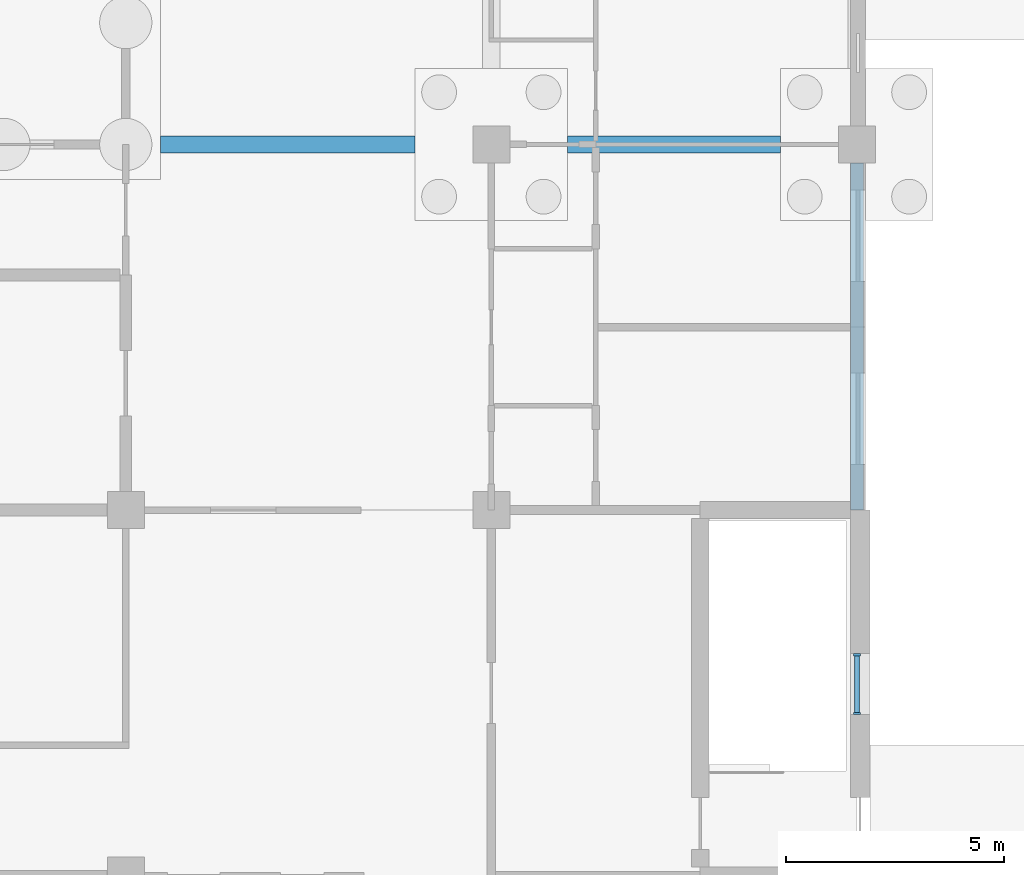
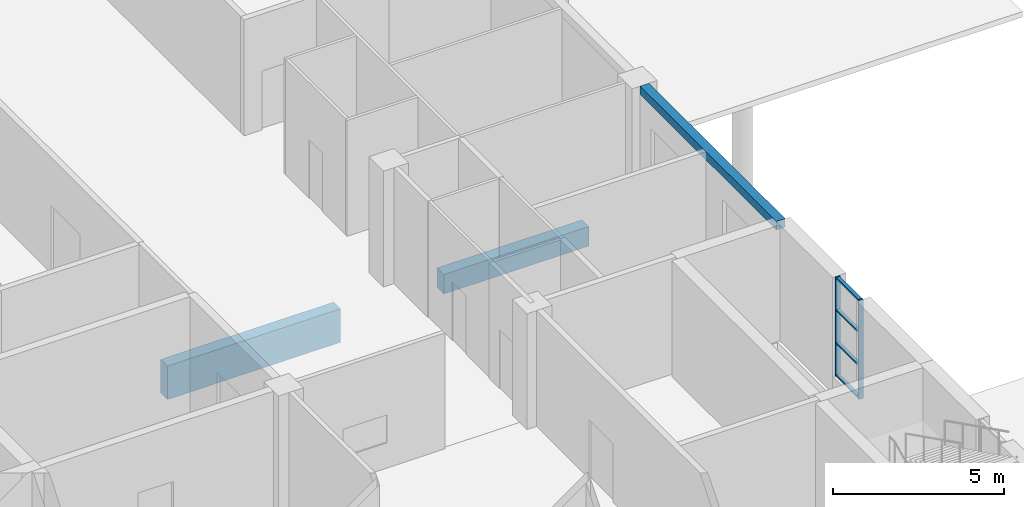
# One storey, part 64 of 138: 6 members, 3 beams, 1 element without a shape of its own.
"""IFC4 building model written with IfcOpenShell, lengths in metres."""

from ifc_helpers import new_model, si_unit, direction, frame, origin, origin_2d, place, context, subcontext, project, spatial, rectangle, extrude, material, material_profile, profile_set, type_object, element, aggregate, save


model = new_model("IFC4")

# Units and contexts
model_context = context("Model", 3, precision=1e-05, world=origin(), true_north=direction((0.0, 1.0)))
body_context = subcontext(model_context, "Body", "Model", "MODEL_VIEW")
ifc_project = project(units=[si_unit("LENGTHUNIT", "METRE"), si_unit("AREAUNIT", "SQUARE_METRE"), si_unit("VOLUMEUNIT", "CUBIC_METRE"), si_unit("PLANEANGLEUNIT", "RADIAN"), si_unit("MASSUNIT", "GRAM", prefix="KILO")], contexts=[model_context])

# Site, building, storey
site_placement = place(None, origin())
site = spatial("IfcSite", under=ifc_project, at=site_placement, CompositionType="ELEMENT")
building_placement = place(site_placement, origin())
building = spatial("IfcBuilding", under=site, at=building_placement, Name="Yavir Park General Hospital", CompositionType="ELEMENT")
storey_placement = place(building_placement, origin())
storey = spatial("IfcBuildingStorey", under=building, at=storey_placement, Name="L00", CompositionType="ELEMENT", Elevation=0.0)

# Beams
ifc_material_1 = material(Name="Concrete C35/45", Category="concrete")
ifc_material_profile_1 = material_profile(ifc_material_1, rectangle(XDim=0.300048828125, YDim=0.300048828125, at=origin_2d()), Name="RC300x300")
ifc_profile_set_1 = profile_set([ifc_material_profile_1], Name="Concrete C35/45")
beam_type_1 = type_object("IfcBeamType", Name="RC BEAM 300x300 edge beam", PredefinedType="BEAM", material=ifc_profile_set_1)
beam_1_placement = place(storey_placement, frame((168.0, 33.60009765625, 3.989990234375), z_axis=(0.0, 1.0, 0.0), x_axis=(-1.0, 0.0, 0.0)))
element("IfcBeam", 1, at=beam_1_placement, inside=storey, type_object=beam_type_1, Name="B:EDGE:L00:055", PredefinedType="BEAM", context=body_context, shape_type="SweptSolid", body=[
    extrude(rectangle(XDim=0.300048828125, YDim=0.300048828125, at=origin_2d()), origin(), (0.0, 0.0, 1.0), 7.974853515625),
])
ifc_material_2 = material(Name="Concrete C35/45", Category="concrete")
ifc_material_profile_2 = material_profile(ifc_material_2, rectangle(XDim=0.39990234375, YDim=1.199951171875, at=origin_2d()), Name="RC400x1200")
ifc_profile_set_2 = profile_set([ifc_material_profile_2], Name="Concrete C35/45")
beam_type_2 = type_object("IfcBeamType", Name="RC BEAM 400x1200 ground beam", PredefinedType="BEAM", material=ifc_profile_set_2)
beam_2_placement = place(storey_placement, frame((152.0, 42.0, -1.050048828125), z_axis=(1.0, 0.0, 0.0), x_axis=(0.0, 1.0, 0.0)))
element("IfcBeam", 2, at=beam_2_placement, inside=storey, type_object=beam_type_2, Name="B:GND:L00:EDL:L00:20F", PredefinedType="BEAM", context=body_context, shape_type="SweptSolid", body=[
    extrude(rectangle(XDim=0.39990234375, YDim=1.199951171875, at=origin_2d()), origin(), (0.0, 0.0, 1.0), 5.85009765625),
])
ifc_material_3 = material(Name="Concrete C35/45", Category="concrete")
ifc_material_profile_3 = material_profile(ifc_material_3, rectangle(XDim=0.39990234375, YDim=0.699951171875, at=origin_2d()), Name="RC400x700")
ifc_profile_set_3 = profile_set([ifc_material_profile_3], Name="Concrete C35/45")
beam_type_3 = type_object("IfcBeamType", Name="RC BEAM 400x700 ground beam", PredefinedType="BEAM", material=ifc_profile_set_3)
beam_3_placement = place(storey_placement, frame((161.35009765625, 42.0, -0.800048828125), z_axis=(1.0, 0.0, 0.0), x_axis=(0.0, 1.0, 0.0)))
element("IfcBeam", 3, at=beam_3_placement, inside=storey, type_object=beam_type_3, Name="B:GND:L00:20F:L00:21F", PredefinedType="BEAM", context=body_context, shape_type="SweptSolid", body=[
    extrude(rectangle(XDim=0.39990234375, YDim=0.699951171875, at=origin_2d()), origin(), (0.0, 0.0, 1.0), 4.89990234375),
])

# Curtain wall, members
ifc_material_4 = material(Name="Aluminium curtain wall frame with insulated glazing", Category="aluminium")
curtain_wall_type = type_object("IfcCurtainWallType", Name="Stair light slot, ground floor, 3540 high, 1400 module", PredefinedType="NOTDEFINED", material=ifc_material_4)
curtain_wall_placement = place(storey_placement, origin())
curtain_wall = element("IfcCurtainWall", 4, at=curtain_wall_placement, inside=storey, type_object=curtain_wall_type, Name="CW19 L00-073", PredefinedType="NOTDEFINED")
ifc_material_5 = material(Name="Aluminium", Category="aluminium")
ifc_material_profile_4 = material_profile(ifc_material_5, rectangle(XDim=0.159912109375, YDim=0.050048828125, at=origin_2d()), Name="AL 50x160")
ifc_profile_set_4 = profile_set([ifc_material_profile_4], Name="Aluminium")
member_type_1 = type_object("IfcMemberType", Name="Stair light slot, ground floor, 3540 high mullion 50 x 160", PredefinedType="MULLION", material=ifc_profile_set_4)
member_1_placement = place(storey_placement, frame((168.0, 28.925048828125, 0.60009765625), z_axis=(0.0, 0.0, 1.0), x_axis=(-1.0, 0.0, 0.0)))
member_1 = element("IfcMember", 5, at=member_1_placement, type_object=member_type_1, Name="CW19 mullion 1", PredefinedType="MULLION", context=body_context, shape_type="SweptSolid", body=[
    extrude(rectangle(XDim=0.159912109375, YDim=0.050048828125, at=origin_2d()), origin(), (0.0, 0.0, 1.0), 3.539794921875),
])
member_2_placement = place(storey_placement, frame((168.0, 30.27490234375, 0.60009765625), z_axis=(0.0, 0.0, 1.0), x_axis=(-1.0, 0.0, 0.0)))
member_2 = element("IfcMember", 6, at=member_2_placement, type_object=member_type_1, Name="CW19 mullion 2", PredefinedType="MULLION", context=body_context, shape_type="SweptSolid", body=[
    extrude(rectangle(XDim=0.159912109375, YDim=0.050048828125, at=origin_2d()), origin(), (0.0, 0.0, 1.0), 3.539794921875),
])
ifc_material_6 = material(Name="Aluminium", Category="aluminium")
ifc_material_profile_5 = material_profile(ifc_material_6, rectangle(XDim=0.1201171875, YDim=0.050048828125, at=origin_2d()), Name="AL 120x50")
ifc_profile_set_5 = profile_set([ifc_material_profile_5], Name="Aluminium")
member_type_2 = type_object("IfcMemberType", Name="Stair light slot, ground floor, 3540 high transom 50 x 120", PredefinedType="MULLION", material=ifc_profile_set_5)
member_3_placement = place(storey_placement, frame((168.0, 28.949951171875, 0.625), z_axis=(0.0, 1.0, 0.0), x_axis=(-1.0, 0.0, 0.0)))
member_3 = element("IfcMember", 7, at=member_3_placement, type_object=member_type_2, Name="CW19 transom 1.1", PredefinedType="MULLION", context=body_context, shape_type="SweptSolid", body=[
    extrude(rectangle(XDim=0.1201171875, YDim=0.050048828125, at=origin_2d()), origin(), (0.0, 0.0, 1.0), 1.300048828125),
])
member_4_placement = place(storey_placement, frame((168.0, 28.949951171875, 1.780029296875), z_axis=(0.0, 1.0, 0.0), x_axis=(-1.0, 0.0, 0.0)))
member_4 = element("IfcMember", 8, at=member_4_placement, type_object=member_type_2, Name="CW19 transom 1.2", PredefinedType="MULLION", context=body_context, shape_type="SweptSolid", body=[
    extrude(rectangle(XDim=0.1201171875, YDim=0.050048828125, at=origin_2d()), origin(), (0.0, 0.0, 1.0), 1.300048828125),
])
member_5_placement = place(storey_placement, frame((168.0, 28.949951171875, 2.9599609375), z_axis=(0.0, 1.0, 0.0), x_axis=(-1.0, 0.0, 0.0)))
member_5 = element("IfcMember", 9, at=member_5_placement, type_object=member_type_2, Name="CW19 transom 1.3", PredefinedType="MULLION", context=body_context, shape_type="SweptSolid", body=[
    extrude(rectangle(XDim=0.1201171875, YDim=0.050048828125, at=origin_2d()), origin(), (0.0, 0.0, 1.0), 1.300048828125),
])
member_6_placement = place(storey_placement, frame((168.0, 28.949951171875, 4.114990234375), z_axis=(0.0, 1.0, 0.0), x_axis=(-1.0, 0.0, 0.0)))
member_6 = element("IfcMember", 10, at=member_6_placement, type_object=member_type_2, Name="CW19 transom 1.4", PredefinedType="MULLION", context=body_context, shape_type="SweptSolid", body=[
    extrude(rectangle(XDim=0.1201171875, YDim=0.050048828125, at=origin_2d()), origin(), (0.0, 0.0, 1.0), 1.300048828125),
])
aggregate(curtain_wall, [member_1, member_2, member_3, member_4, member_5, member_6])

save(model, "model.ifc")
